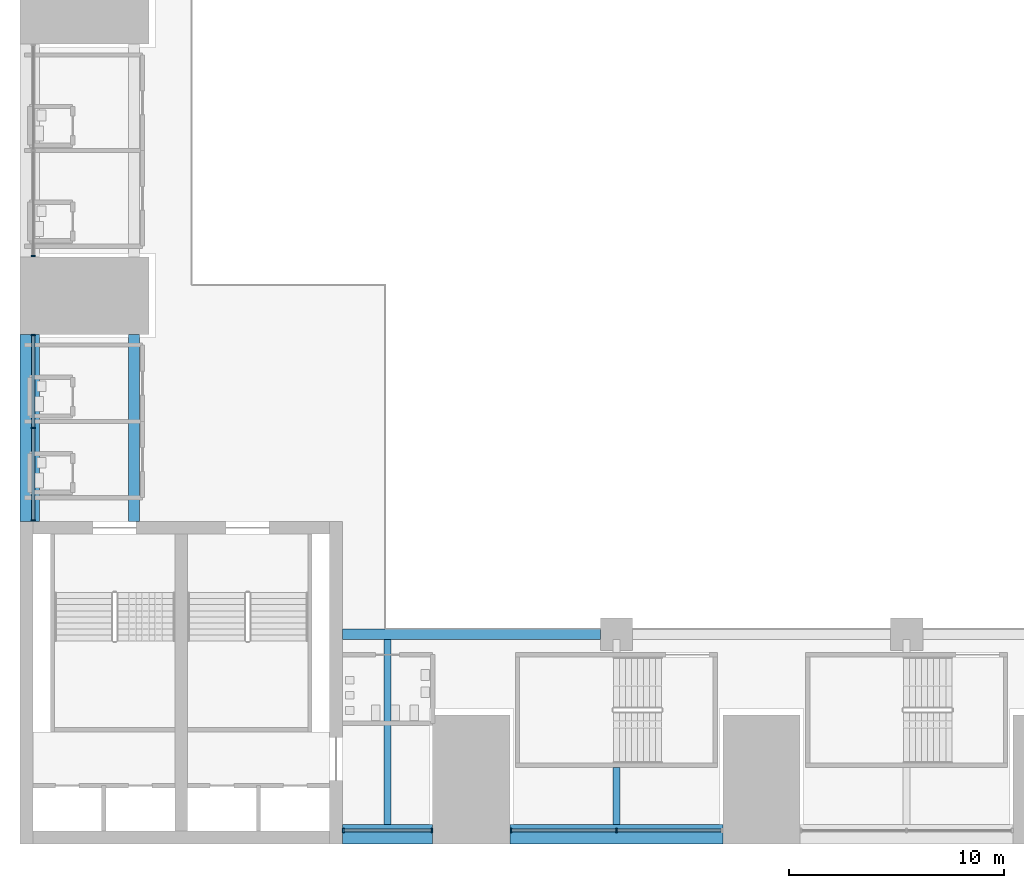
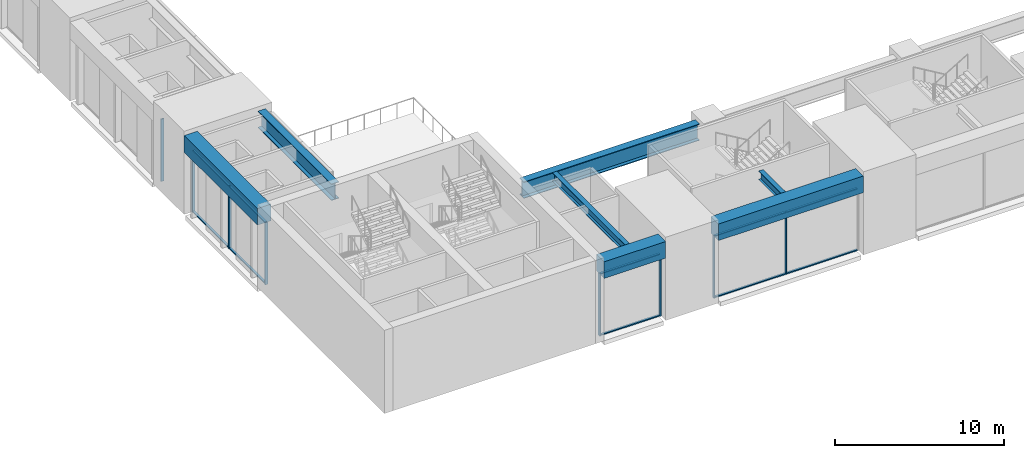
# One storey, part 2 of 43: 18 members, 7 beams, 4 elements without a shape of their own.
"""IFC4 building model written with IfcOpenShell, lengths in metres."""

import ifcopenshell
import ifcopenshell.guid

model = None  # the IFC model being written
_history = None  # IfcOwnerHistory: only IFC2X3 demands one
_inside = {}  # id of a spatial element -> (the spatial element, [elements in it])
_under = {}  # id of a project, library or spatial element -> (it, [spatial elements below it])
_declared = {}  # id of a project -> (the project, [libraries it declares])
_typed = {}  # id of a type object -> (the type object, [elements of that type])
_made_of = {}  # id of a material, layer set ... -> (it, [elements and type objects made of it])


def new_model(schema):
    """Start an empty IFC model of exactly this schema.

    Asked for "IFC4X3", IfcOpenShell would pick the latest addendum, in which some entities
    have other attributes; the version numbers below select the first issue.
    IFC2X3 requires an IfcOwnerHistory on every rooted entity: one is made here for all.
    """
    global model, _history
    if schema == "IFC4X3":
        model = ifcopenshell.file(schema_version=(4, 3, 0, 0))
    else:
        model = ifcopenshell.file(schema=schema)
    _inside.clear()
    _under.clear()
    _declared.clear()
    _typed.clear()
    _made_of.clear()
    _history = None
    if model.schema == "IFC2X3":
        org = make("IfcOrganization", Name="unknown")
        user = make(
            "IfcPersonAndOrganization",
            ThePerson=make("IfcPerson", FamilyName="unknown"),
            TheOrganization=org,
        )
        app = make(
            "IfcApplication",
            ApplicationDeveloper=org,
            Version="unknown",
            ApplicationFullName="unknown",
            ApplicationIdentifier="unknown",
        )
        _history = make(
            "IfcOwnerHistory",
            OwningUser=user,
            OwningApplication=app,
            ChangeAction="ADDED",
            CreationDate=0,
        )
    return model


def make(cls, **values):
    """One entity of the class cls with the attributes given. An attribute that is None is left unset."""
    return model.create_entity(
        cls, **{name: value for name, value in values.items() if value is not None}
    )


def rooted(cls, **values):
    """An entity with a GlobalId (a new one), such as an element, a storey or a relation."""
    return make(cls, GlobalId=ifcopenshell.guid.new(), OwnerHistory=_history, **values)


def si_unit(unit_type, name, prefix=None):
    """IfcSIUnit, for example si_unit("LENGTHUNIT", "METRE", prefix="MILLI")."""
    return make("IfcSIUnit", UnitType=unit_type, Prefix=prefix, Name=name)


def assignment(units):
    """IfcUnitAssignment: the units of a project."""
    return None if units is None else make("IfcUnitAssignment", Units=units)


def point(xyz):
    """IfcCartesianPoint."""
    return None if xyz is None else make("IfcCartesianPoint", Coordinates=xyz)


def direction(xyz):
    """IfcDirection."""
    return None if xyz is None else make("IfcDirection", DirectionRatios=xyz)


def frame(location, z_axis=None, x_axis=None):
    """IfcAxis2Placement3D, a coordinate frame: its origin and axes. An axis left out is left unset."""
    return make(
        "IfcAxis2Placement3D",
        Location=point(location),
        Axis=direction(z_axis),
        RefDirection=direction(x_axis),
    )


def frame_2d(location, x_axis=None):
    """IfcAxis2Placement2D, a coordinate frame in the plane: its origin and x axis."""
    return make(
        "IfcAxis2Placement2D", Location=point(location), RefDirection=direction(x_axis)
    )


def origin():
    """The frame at (0, 0, 0) with its axes left unset."""
    return frame((0.0, 0.0, 0.0))


def origin_2d():
    """The frame at (0, 0) in the plane with its x axis left unset."""
    return frame_2d((0.0, 0.0))


def place(relative_to, where):
    """IfcLocalPlacement: puts the frame where relative to a parent placement (None: the world)."""
    return make(
        "IfcLocalPlacement", PlacementRelTo=relative_to, RelativePlacement=where
    )


def context(
    kind, dimensions, precision=None, world=None, true_north=None, identifier=None
):
    """IfcGeometricRepresentationContext, for example the 3D "Model" context."""
    return make(
        "IfcGeometricRepresentationContext",
        ContextIdentifier=identifier,
        ContextType=kind,
        CoordinateSpaceDimension=dimensions,
        Precision=precision,
        WorldCoordinateSystem=world,
        TrueNorth=true_north,
    )


def subcontext(parent, identifier, kind, view, scale=None):
    """IfcGeometricRepresentationSubContext, for example "Body" below "Model"."""
    return make(
        "IfcGeometricRepresentationSubContext",
        ContextIdentifier=identifier,
        ContextType=kind,
        ParentContext=parent,
        TargetScale=scale,
        TargetView=view,
    )


def project(units=None, contexts=None):
    """IfcProject with its units and contexts."""
    return rooted(
        "IfcProject",
        Name="project",
        RepresentationContexts=contexts,
        UnitsInContext=assignment(units),
    )


def spatial(cls, under=None, at=None, **own):
    """A site, building, storey or space (cls), placed at a placement, below another one or the project."""
    s = rooted(cls, ObjectPlacement=at, **own)
    if under is not None:
        _under.setdefault(under.id(), (under, []))[1].append(s)
    return s


def profile(cls, at=None, kind="AREA", **sizes):
    """A parametric profile (cls). Its sizes go by their IFC names, for example OverallWidth=200.0."""
    return make(cls, ProfileType=kind, Position=at, **sizes)


def rectangle(**sizes):
    """IfcRectangleProfileDef."""
    return profile("IfcRectangleProfileDef", **sizes)


def i_section(**sizes):
    """IfcIShapeProfileDef."""
    return profile("IfcIShapeProfileDef", **sizes)


def extrude(swept, where, along, depth):
    """IfcExtrudedAreaSolid: the profile swept, set in the frame where, extruded along a direction by depth."""
    return make(
        "IfcExtrudedAreaSolid",
        SweptArea=swept,
        Position=where,
        ExtrudedDirection=direction(along),
        Depth=depth,
    )


def shape(context_of_items, identifier, shape_type, items):
    """IfcShapeRepresentation: the items that make up one representation, for example the "Body"."""
    return make(
        "IfcShapeRepresentation",
        ContextOfItems=context_of_items,
        RepresentationIdentifier=identifier,
        RepresentationType=shape_type,
        Items=items,
    )


def material(Name=None, Category=None):
    """IfcMaterial."""
    return make("IfcMaterial", Name=Name, Category=Category)


def layer(
    of_material, thickness, ventilated=None, Name=None, Category=None, Priority=None
):
    """IfcMaterialLayer: one layer of a wall or slab, of a material (None: an air gap)."""
    return make(
        "IfcMaterialLayer",
        Material=of_material,
        LayerThickness=thickness,
        IsVentilated=ventilated,
        Name=Name,
        Category=Category,
        Priority=Priority,
    )


def layer_set(layers, Name=None):
    """IfcMaterialLayerSet."""
    return make("IfcMaterialLayerSet", MaterialLayers=layers, LayerSetName=Name)


def material_profile(
    of_material, cross_section, Name=None, Category=None, Priority=None
):
    """IfcMaterialProfile: a cross section and its material."""
    return make(
        "IfcMaterialProfile",
        Name=Name,
        Material=of_material,
        Profile=cross_section,
        Priority=Priority,
        Category=Category,
    )


def profile_set(profiles, Name=None, composite=None):
    """IfcMaterialProfileSet."""
    return make(
        "IfcMaterialProfileSet",
        Name=Name,
        MaterialProfiles=profiles,
        CompositeProfile=composite,
    )


def made_of(thing, what):
    """Note that an element or type object is made of a material, layer set ...; save() writes the relation."""
    if what is not None:
        _made_of.setdefault(what.id(), (what, []))[1].append(thing)
    return thing


def type_object(cls, material=None, **own):
    """A type object (cls), such as IfcWallType, which elements share."""
    return made_of(rooted(cls, **own), material)


def element(
    cls,
    number,
    at=None,
    inside=None,
    cuts=None,
    type_object=None,
    material=None,
    context=None,
    identifier="Body",
    shape_type=None,
    held_by="IfcProductDefinitionShape",
    body=None,
    shapes=None,
    **own,
):
    """One element of the class cls, such as IfcWall. Its Tag is "e" and its number.

    at: its placement. inside: the storey or other place that contains it. cuts: it is an
    opening in that element (IfcRelVoidsElement). A single representation is given by context,
    identifier, shape_type and body (its items); several are given by shapes. held_by: the class
    of the entity that holds the representations. save() writes the other relations.
    """
    e = rooted(cls, Tag="e%d" % number, ObjectPlacement=at, **own)
    if body is not None:
        shapes = [shape(context, identifier, shape_type, body)]
    if shapes is not None:
        e.Representation = make(held_by, Representations=shapes)
    if inside is not None:
        _inside.setdefault(inside.id(), (inside, []))[1].append(e)
    if cuts is not None:
        rooted(
            "IfcRelVoidsElement", RelatingBuildingElement=cuts, RelatedOpeningElement=e
        )
    if type_object is not None:
        _typed.setdefault(type_object.id(), (type_object, []))[1].append(e)
    return made_of(e, material)


def aggregate(whole, parts):
    """IfcRelAggregates: a whole, such as a stair, and the parts it consists of."""
    return rooted("IfcRelAggregates", RelatingObject=whole, RelatedObjects=parts)


def save(model, path):
    """Write the relations noted so far, then the file.

    IfcRelAggregates (storeys below a building ...), IfcRelContainedInSpatialStructure (elements
    in a storey), IfcRelDefinesByType, IfcRelAssociatesMaterial and IfcRelDeclares: one each for
    every whole, place, type object, material and project.
    """
    for whole, parts in _under.values():
        aggregate(whole, parts)
    for where, things in _inside.values():
        rooted(
            "IfcRelContainedInSpatialStructure",
            RelatedElements=things,
            RelatingStructure=where,
        )
    for kind, things in _typed.values():
        rooted("IfcRelDefinesByType", RelatedObjects=things, RelatingType=kind)
    for what, things in _made_of.values():
        rooted("IfcRelAssociatesMaterial", RelatedObjects=things, RelatingMaterial=what)
    for by, libraries in _declared.values():
        rooted("IfcRelDeclares", RelatingContext=by, RelatedDefinitions=libraries)
    model.write(path)


model = new_model("IFC4")

# Units and contexts
model_context = context("Model", 3, precision=1e-05, world=origin(), true_north=direction((0.0, 1.0)))
body_context = subcontext(model_context, "Body", "Model", "MODEL_VIEW")
ifc_project = project(units=[si_unit("LENGTHUNIT", "METRE"), si_unit("AREAUNIT", "SQUARE_METRE"), si_unit("VOLUMEUNIT", "CUBIC_METRE"), si_unit("PLANEANGLEUNIT", "RADIAN"), si_unit("MASSUNIT", "GRAM", prefix="KILO")], contexts=[model_context])

# Site, building, storey
site_placement = place(None, origin())
site = spatial("IfcSite", under=ifc_project, at=site_placement, CompositionType="ELEMENT")
building_placement = place(site_placement, origin())
building = spatial("IfcBuilding", under=site, at=building_placement, Name="Corbelhall Arena Tower", CompositionType="ELEMENT")
storey_placement = place(building_placement, frame((0.0, 0.0, 25.0)))
storey = spatial("IfcBuildingStorey", under=building, at=storey_placement, Name="L03", CompositionType="ELEMENT", Elevation=25.0)

# Curtain wall, members
ifc_material_1 = material(Name="Aluminium black anodised", Category="aluminium")
ifc_layer = layer(ifc_material_1, 0.239990234375)
ifc_layer_set = layer_set([ifc_layer], Name="EV-CW4 Arena concourse glazing")
curtain_wall_type = type_object("IfcCurtainWallType", Name="EV-CW4 Arena concourse glazing", PredefinedType="NOTDEFINED", material=ifc_layer_set)
curtain_wall_1_placement = place(storey_placement, origin())
curtain_wall_1 = element("IfcCurtainWall", 1, at=curtain_wall_1_placement, inside=storey, type_object=curtain_wall_type, Name="Curtain wall CW4A", PredefinedType="NOTDEFINED")
ifc_material_profile_1 = material_profile(ifc_material_1, rectangle(XDim=0.199951171875, YDim=0.074951171875, at=origin_2d()))
ifc_profile_set_1 = profile_set([ifc_material_profile_1], Name="Aluminium black anodised")
member_type_1 = type_object("IfcMemberType", Name="EV-CW4-MULLION", PredefinedType="MULLION", material=ifc_profile_set_1)
member_1_placement = place(storey_placement, frame((-32.96240234375, -38.3798828125, 0.0), z_axis=(0.0, 0.0, 1.0), x_axis=(0.0, 1.0, 0.0)))
member_1 = element("IfcMember", 2, at=member_1_placement, type_object=member_type_1, Name="CW4A mullion 1", PredefinedType="MULLION", context=body_context, shape_type="SweptSolid", body=[
    extrude(rectangle(XDim=0.199951171875, YDim=0.074951171875, at=origin_2d()), origin(), (0.0, 0.0, 1.0), 4.5),
])
member_2_placement = place(storey_placement, frame((-28.83740234375, -38.3798828125, 0.0), z_axis=(0.0, 0.0, 1.0), x_axis=(0.0, 1.0, 0.0)))
member_2 = element("IfcMember", 3, at=member_2_placement, type_object=member_type_1, Name="CW4A mullion 2", PredefinedType="MULLION", context=body_context, shape_type="SweptSolid", body=[
    extrude(rectangle(XDim=0.199951171875, YDim=0.074951171875, at=origin_2d()), origin(), (0.0, 0.0, 1.0), 4.5),
])

curtain_wall_2_placement = place(storey_placement, origin())
curtain_wall_2 = element("IfcCurtainWall", 4, at=curtain_wall_2_placement, inside=storey, type_object=curtain_wall_type, Name="Curtain wall CW4", PredefinedType="NOTDEFINED")
member_3_placement = place(storey_placement, frame((-25.16259765625, -38.3798828125, 0.0), z_axis=(0.0, 0.0, 1.0), x_axis=(0.0, 1.0, 0.0)))
member_3 = element("IfcMember", 5, at=member_3_placement, type_object=member_type_1, Name="CW4 mullion 1", PredefinedType="MULLION", context=body_context, shape_type="SweptSolid", body=[
    extrude(rectangle(XDim=0.199951171875, YDim=0.074951171875, at=origin_2d()), origin(), (0.0, 0.0, 1.0), 4.5),
])
member_4_placement = place(storey_placement, frame((-20.25, -38.3798828125, 0.0), z_axis=(0.0, 0.0, 1.0), x_axis=(0.0, 1.0, 0.0)))
member_4 = element("IfcMember", 6, at=member_4_placement, type_object=member_type_1, Name="CW4 mullion 2", PredefinedType="MULLION", context=body_context, shape_type="SweptSolid", body=[
    extrude(rectangle(XDim=0.199951171875, YDim=0.074951171875, at=origin_2d()), origin(), (0.0, 0.0, 1.0), 4.5),
])

# Curtain wall, member
curtain_wall_3_placement = place(storey_placement, origin())
curtain_wall_3 = element("IfcCurtainWall", 7, at=curtain_wall_3_placement, inside=storey, type_object=curtain_wall_type, Name="Curtain wall CW4", PredefinedType="NOTDEFINED")
member_5_placement = place(storey_placement, frame((-47.3798828125, -11.66259765625, 0.0), z_axis=(0.0, 0.0, 1.0), x_axis=(1.0, 0.0, 0.0)))
member_5 = element("IfcMember", 8, at=member_5_placement, type_object=member_type_1, Name="CW4 mullion 3", PredefinedType="MULLION", context=body_context, shape_type="SweptSolid", body=[
    extrude(rectangle(XDim=0.199951171875, YDim=0.074951171875, at=origin_2d()), origin(), (0.0, 0.0, 1.0), 4.5),
])
aggregate(curtain_wall_3, [member_5])

# Curtain wall, members
curtain_wall_4_placement = place(storey_placement, origin())
curtain_wall_4 = element("IfcCurtainWall", 9, at=curtain_wall_4_placement, inside=storey, type_object=curtain_wall_type, Name="Curtain wall CW4B", PredefinedType="NOTDEFINED")
member_6_placement = place(storey_placement, frame((-47.3798828125, -15.33740234375, 0.0), z_axis=(0.0, 0.0, 1.0), x_axis=(1.0, 0.0, 0.0)))
member_6 = element("IfcMember", 10, at=member_6_placement, type_object=member_type_1, Name="CW4B mullion 1", PredefinedType="MULLION", context=body_context, shape_type="SweptSolid", body=[
    extrude(rectangle(XDim=0.199951171875, YDim=0.074951171875, at=origin_2d()), origin(), (0.0, 0.0, 1.0), 4.5),
])
member_7_placement = place(storey_placement, frame((-47.3798828125, -19.64990234375, 0.0), z_axis=(0.0, 0.0, 1.0), x_axis=(1.0, 0.0, 0.0)))
member_7 = element("IfcMember", 11, at=member_7_placement, type_object=member_type_1, Name="CW4B mullion 2", PredefinedType="MULLION", context=body_context, shape_type="SweptSolid", body=[
    extrude(rectangle(XDim=0.199951171875, YDim=0.074951171875, at=origin_2d()), origin(), (0.0, 0.0, 1.0), 4.5),
])
member_8_placement = place(storey_placement, frame((-47.3798828125, -23.96240234375, 0.0), z_axis=(0.0, 0.0, 1.0), x_axis=(1.0, 0.0, 0.0)))
member_8 = element("IfcMember", 12, at=member_8_placement, type_object=member_type_1, Name="CW4B mullion 3", PredefinedType="MULLION", context=body_context, shape_type="SweptSolid", body=[
    extrude(rectangle(XDim=0.199951171875, YDim=0.074951171875, at=origin_2d()), origin(), (0.0, 0.0, 1.0), 4.5),
])

# Member
ifc_material_profile_2 = material_profile(ifc_material_1, rectangle(XDim=0.14990234375, YDim=0.074951171875, at=origin_2d()))
ifc_profile_set_2 = profile_set([ifc_material_profile_2], Name="Aluminium black anodised")
member_type_2 = type_object("IfcMemberType", Name="EV-CW4-TRANSOM", PredefinedType="USERDEFINED", material=ifc_profile_set_2)
member_9_placement = place(storey_placement, frame((-32.925048828125, -38.3798828125, 0.03759765625), z_axis=(1.0, 0.0, 0.0), x_axis=(0.0, 1.0, 0.0)))
member_9 = element("IfcMember", 13, at=member_9_placement, type_object=member_type_2, Name="CW4A transom 1.1", ObjectType="transom", PredefinedType="USERDEFINED", context=body_context, shape_type="SweptSolid", body=[
    extrude(rectangle(XDim=0.14990234375, YDim=0.074951171875, at=origin_2d()), origin(), (0.0, 0.0, 1.0), 4.050048828125),
])

member_10_placement = place(storey_placement, frame((-32.925048828125, -38.3798828125, 4.46240234375), z_axis=(1.0, 0.0, 0.0), x_axis=(0.0, 1.0, 0.0)))
member_10 = element("IfcMember", 14, at=member_10_placement, type_object=member_type_2, Name="CW4A transom 1.2", ObjectType="transom", PredefinedType="USERDEFINED", context=body_context, shape_type="SweptSolid", body=[
    extrude(rectangle(XDim=0.14990234375, YDim=0.074951171875, at=origin_2d()), origin(), (0.0, 0.0, 1.0), 4.050048828125),
])

aggregate(curtain_wall_1, [member_1, member_2, member_9, member_10])

member_11_placement = place(storey_placement, frame((-25.125, -38.3798828125, 0.03759765625), z_axis=(1.0, 0.0, 0.0), x_axis=(0.0, 1.0, 0.0)))
member_11 = element("IfcMember", 15, at=member_11_placement, type_object=member_type_2, Name="CW4 transom 1.1", ObjectType="transom", PredefinedType="USERDEFINED", context=body_context, shape_type="SweptSolid", body=[
    extrude(rectangle(XDim=0.14990234375, YDim=0.074951171875, at=origin_2d()), origin(), (0.0, 0.0, 1.0), 4.83740234375),
])

member_12_placement = place(storey_placement, frame((-25.125, -38.3798828125, 4.46240234375), z_axis=(1.0, 0.0, 0.0), x_axis=(0.0, 1.0, 0.0)))
member_12 = element("IfcMember", 16, at=member_12_placement, type_object=member_type_2, Name="CW4 transom 1.2", ObjectType="transom", PredefinedType="USERDEFINED", context=body_context, shape_type="SweptSolid", body=[
    extrude(rectangle(XDim=0.14990234375, YDim=0.074951171875, at=origin_2d()), origin(), (0.0, 0.0, 1.0), 4.83740234375),
])

member_13_placement = place(storey_placement, frame((-20.21240234375, -38.3798828125, 0.03759765625), z_axis=(1.0, 0.0, 0.0), x_axis=(0.0, 1.0, 0.0)))
member_13 = element("IfcMember", 17, at=member_13_placement, type_object=member_type_2, Name="CW4 transom 2.1", ObjectType="transom", PredefinedType="USERDEFINED", context=body_context, shape_type="SweptSolid", body=[
    extrude(rectangle(XDim=0.14990234375, YDim=0.074951171875, at=origin_2d()), origin(), (0.0, 0.0, 1.0), 4.83740234375),
])

member_14_placement = place(storey_placement, frame((-20.21240234375, -38.3798828125, 4.46240234375), z_axis=(1.0, 0.0, 0.0), x_axis=(0.0, 1.0, 0.0)))
member_14 = element("IfcMember", 18, at=member_14_placement, type_object=member_type_2, Name="CW4 transom 2.2", ObjectType="transom", PredefinedType="USERDEFINED", context=body_context, shape_type="SweptSolid", body=[
    extrude(rectangle(XDim=0.14990234375, YDim=0.074951171875, at=origin_2d()), origin(), (0.0, 0.0, 1.0), 4.83740234375),
])

aggregate(curtain_wall_2, [member_3, member_4, member_11, member_12, member_13, member_14])

member_15_placement = place(storey_placement, frame((-47.3798828125, -15.375, 0.03759765625), z_axis=(0.0, -1.0, 0.0), x_axis=(1.0, 0.0, 0.0)))
member_15 = element("IfcMember", 19, at=member_15_placement, type_object=member_type_2, Name="CW4B transom 1.1", ObjectType="transom", PredefinedType="USERDEFINED", context=body_context, shape_type="SweptSolid", body=[
    extrude(rectangle(XDim=0.14990234375, YDim=0.074951171875, at=origin_2d()), origin(), (0.0, 0.0, 1.0), 4.237548828125),
])

member_16_placement = place(storey_placement, frame((-47.3798828125, -15.375, 4.46240234375), z_axis=(0.0, -1.0, 0.0), x_axis=(1.0, 0.0, 0.0)))
member_16 = element("IfcMember", 20, at=member_16_placement, type_object=member_type_2, Name="CW4B transom 1.2", ObjectType="transom", PredefinedType="USERDEFINED", context=body_context, shape_type="SweptSolid", body=[
    extrude(rectangle(XDim=0.14990234375, YDim=0.074951171875, at=origin_2d()), origin(), (0.0, 0.0, 1.0), 4.237548828125),
])

member_17_placement = place(storey_placement, frame((-47.3798828125, -19.6875, 0.03759765625), z_axis=(0.0, -1.0, 0.0), x_axis=(1.0, 0.0, 0.0)))
member_17 = element("IfcMember", 21, at=member_17_placement, type_object=member_type_2, Name="CW4B transom 2.1", ObjectType="transom", PredefinedType="USERDEFINED", context=body_context, shape_type="SweptSolid", body=[
    extrude(rectangle(XDim=0.14990234375, YDim=0.074951171875, at=origin_2d()), origin(), (0.0, 0.0, 1.0), 4.237548828125),
])

member_18_placement = place(storey_placement, frame((-47.3798828125, -19.6875, 4.46240234375), z_axis=(0.0, -1.0, 0.0), x_axis=(1.0, 0.0, 0.0)))
member_18 = element("IfcMember", 22, at=member_18_placement, type_object=member_type_2, Name="CW4B transom 2.2", ObjectType="transom", PredefinedType="USERDEFINED", context=body_context, shape_type="SweptSolid", body=[
    extrude(rectangle(XDim=0.14990234375, YDim=0.074951171875, at=origin_2d()), origin(), (0.0, 0.0, 1.0), 4.237548828125),
])

aggregate(curtain_wall_4, [member_6, member_7, member_8, member_15, member_16, member_17, member_18])

# Beams
ifc_material_2 = material(Name="Steel ASTM A992 Gr50", Category="steel")
ifc_material_profile_3 = material_profile(ifc_material_2, i_section(OverallWidth=0.323974609375, OverallDepth=0.611083984375, WebThickness=0.0126953125, FlangeThickness=0.01904296875, at=origin_2d()))
ifc_profile_set_3 = profile_set([ifc_material_profile_3], Name="Steel ASTM A992 Gr50")
beam_type_1 = type_object("IfcBeamType", Name="PO-BEAM-W24X104", PredefinedType="BEAM", material=ifc_profile_set_3)
beam_1_placement = place(storey_placement, frame((-30.89990234375, -29.5, 5.39453125), z_axis=(0.0, -1.0, 0.0), x_axis=(1.0, 0.0, 0.0)))
element("IfcBeam", 23, at=beam_1_placement, inside=storey, type_object=beam_type_1, Name="CONCOURSE BEAM", PredefinedType="BEAM", context=body_context, shape_type="SweptSolid", body=[
    extrude(i_section(OverallWidth=0.323974609375, OverallDepth=0.611083984375, WebThickness=0.0126953125, FlangeThickness=0.01904296875, at=origin_2d()), origin(), (0.0, 0.0, 1.0), 8.60009765625),
])
beam_2_placement = place(storey_placement, frame((-20.25, -35.449951171875, 5.39453125), z_axis=(0.0, -1.0, 0.0), x_axis=(1.0, 0.0, 0.0)))
element("IfcBeam", 24, at=beam_2_placement, inside=storey, type_object=beam_type_1, Name="CONCOURSE BEAM", PredefinedType="BEAM", context=body_context, shape_type="SweptSolid", body=[
    extrude(i_section(OverallWidth=0.323974609375, OverallDepth=0.611083984375, WebThickness=0.0126953125, FlangeThickness=0.01904296875, at=origin_2d()), origin(), (0.0, 0.0, 1.0), 2.650146484375),
])
ifc_material_3 = material(Name="Steel ASTM A572 Gr50", Category="steel")
ifc_material_profile_4 = material_profile(ifc_material_3, i_section(OverallWidth=0.5, OverallDepth=1.199951171875, WebThickness=0.02490234375, FlangeThickness=0.044921875, at=origin_2d()))
ifc_profile_set_4 = profile_set([ifc_material_profile_4], Name="Steel ASTM A572 Gr50")
beam_type_2 = type_object("IfcBeamType", Name="PO-GIRDER-PG1200X500X25X45", PredefinedType="BEAM", material=ifc_profile_set_4)
beam_3_placement = place(storey_placement, frame((-33.0, -29.25, 5.10009765625), z_axis=(1.0, 0.0, 0.0), x_axis=(0.0, 1.0, 0.0)))
element("IfcBeam", 25, at=beam_3_placement, inside=storey, type_object=beam_type_2, Name="RING GIRDER", PredefinedType="BEAM", context=body_context, shape_type="SweptSolid", body=[
    extrude(i_section(OverallWidth=0.5, OverallDepth=1.199951171875, WebThickness=0.02490234375, FlangeThickness=0.044921875, at=origin_2d()), origin(), (0.0, 0.0, 1.0), 12.0),
])
beam_4_placement = place(storey_placement, frame((-42.699951171875, -24.0, 5.10009765625), z_axis=(0.0, 1.0, 0.0), x_axis=(-1.0, 0.0, 0.0)))
element("IfcBeam", 26, at=beam_4_placement, inside=storey, type_object=beam_type_2, Name="INNER END GIRDER", PredefinedType="BEAM", context=body_context, shape_type="SweptSolid", body=[
    extrude(i_section(OverallWidth=0.5, OverallDepth=1.199951171875, WebThickness=0.02490234375, FlangeThickness=0.044921875, at=origin_2d()), origin(), (0.0, 0.0, 1.0), 8.699951171875),
])
ifc_material_4 = material(Name="Concrete C80/95", Category="concrete")
ifc_material_profile_5 = material_profile(ifc_material_4, rectangle(XDim=0.89990234375, YDim=1.199951171875, at=origin_2d()))
ifc_profile_set_5 = profile_set([ifc_material_profile_5], Name="Concrete C80/95")
beam_type_3 = type_object("IfcBeamType", Name="PO-RING-BEAM", PredefinedType="BEAM", material=ifc_profile_set_5)
beam_5_placement = place(storey_placement, frame((-33.0, -38.550048828125, 5.10009765625), z_axis=(1.0, 0.0, 0.0), x_axis=(0.0, 1.0, 0.0)))
element("IfcBeam", 27, at=beam_5_placement, inside=storey, type_object=beam_type_3, Name="RING GIRDER L04 S1", PredefinedType="BEAM", context=body_context, shape_type="SweptSolid", body=[
    extrude(rectangle(XDim=0.89990234375, YDim=1.199951171875, at=origin_2d()), origin(), (0.0, 0.0, 1.0), 4.199951171875),
])
beam_6_placement = place(storey_placement, frame((-25.199951171875, -38.550048828125, 5.10009765625), z_axis=(1.0, 0.0, 0.0), x_axis=(0.0, 1.0, 0.0)))
element("IfcBeam", 28, at=beam_6_placement, inside=storey, type_object=beam_type_3, Name="RING GIRDER L04 S2", PredefinedType="BEAM", context=body_context, shape_type="SweptSolid", body=[
    extrude(rectangle(XDim=0.89990234375, YDim=1.199951171875, at=origin_2d()), origin(), (0.0, 0.0, 1.0), 9.89990234375),
])
beam_7_placement = place(storey_placement, frame((-47.550048828125, -24.0, 5.10009765625), z_axis=(0.0, 1.0, 0.0), x_axis=(-1.0, 0.0, 0.0)))
element("IfcBeam", 29, at=beam_7_placement, inside=storey, type_object=beam_type_3, Name="RING GIRDER L04 W1", PredefinedType="BEAM", context=body_context, shape_type="SweptSolid", body=[
    extrude(rectangle(XDim=0.89990234375, YDim=1.199951171875, at=origin_2d()), origin(), (0.0, 0.0, 1.0), 8.699951171875),
])

save(model, "model.ifc")
